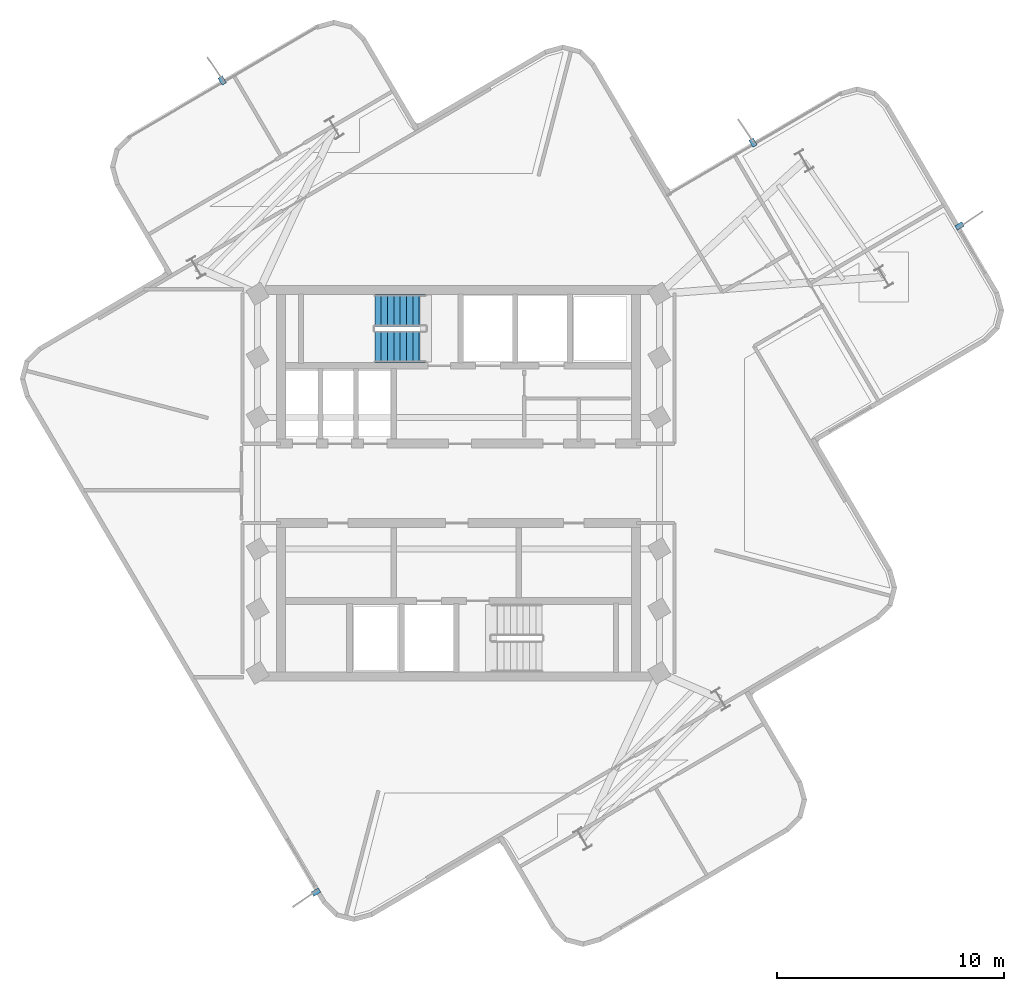
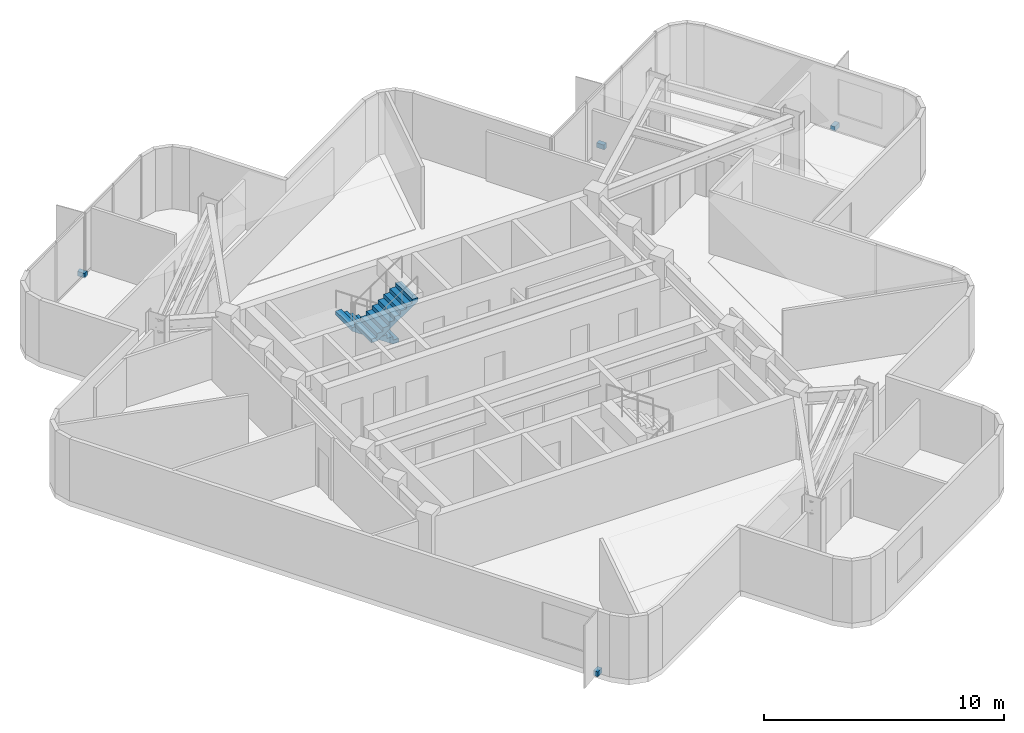
# One storey, part 6 of 8: 4 discrete accessories, 2 stair flights, 1 element without a shape of its own.
"""IFC4 building model written with IfcOpenShell, lengths in metres."""

from ifc_helpers import new_model, si_unit, direction, frame, origin, origin_2d, place, context, subcontext, project, spatial, polyline, rectangle, outline, extrude, material, type_object, element, aggregate, save


model = new_model("IFC4")

# Units and contexts
model_context = context("Model", 3, precision=1e-05, world=origin(), true_north=direction((0.0, 1.0)))
body_context = subcontext(model_context, "Body", "Model", "MODEL_VIEW")
ifc_project = project(units=[si_unit("LENGTHUNIT", "METRE"), si_unit("AREAUNIT", "SQUARE_METRE"), si_unit("VOLUMEUNIT", "CUBIC_METRE"), si_unit("PLANEANGLEUNIT", "RADIAN"), si_unit("MASSUNIT", "GRAM", prefix="KILO")], contexts=[model_context])

# Site, building, storey
site_placement = place(None, origin())
site = spatial("IfcSite", under=ifc_project, at=site_placement, CompositionType="ELEMENT")
building_placement = place(site_placement, origin())
building = spatial("IfcBuilding", under=site, at=building_placement, Name="Solmarez Civic Tower", CompositionType="ELEMENT")
storey_placement = place(building_placement, frame((0.0, 0.0, 212.0400390625)))
storey = spatial("IfcBuildingStorey", under=building, at=storey_placement, Name="L56", CompositionType="ELEMENT", Elevation=212.0400390625)

# Stair, stair flights
ifc_material_1 = material(Name="Concrete C50/60", Category="concrete")
stair_type = type_object("IfcStairType", Name="STAIR-DOGLEG-140W-18R-1900", PredefinedType="HALF_TURN_STAIR", material=ifc_material_1)
stair_placement = place(storey_placement, origin())
stair = element("IfcStair", 1, at=stair_placement, inside=storey, type_object=stair_type, Name="L56 North Core Protected Exit Stair ST-1", PredefinedType="HALF_TURN_STAIR")
stair_flight_type = type_object("IfcStairFlightType", Name="FLIGHT-DOGLEG-140W-9R-1900", PredefinedType="STRAIGHT", material=ifc_material_1)
stair_flight_1_placement = place(storey_placement, frame((-1.449951171875, 7.6201171875, 0.0), z_axis=(0.0, 0.0, 1.0), x_axis=(-1.0, 0.0, 0.0)))
stair_flight_1 = element("IfcStairFlight", 2, at=stair_flight_1_placement, type_object=stair_flight_type, Name="ST-1 flight 1", NumberOfRisers=9, NumberOfTreads=8, PredefinedType="STRAIGHT", RiserHeight=0.19, TreadLength=0.28, context=body_context, shape_type="SweptSolid", body=[
    extrude(outline(polyline([(0.0, 0.0), (0.0, 0.18994140625), (0.280029296875, 0.18994140625), (0.280029296875, 0.3798828125), (0.56005859375, 0.3798828125), (0.56005859375, 0.570068359375), (0.840087890625, 0.570068359375), (0.840087890625, 0.760009765625), (1.1201171875, 0.760009765625), (1.1201171875, 0.949951171875), (1.39990234375, 0.949951171875), (1.39990234375, 1.139892578125), (1.679931640625, 1.139892578125), (1.679931640625, 1.330078125), (1.9599609375, 1.330078125), (1.9599609375, 1.52001953125), (2.239990234375, 1.52001953125), (2.239990234375, 1.7099609375), (2.239990234375, 1.32666015625), (0.284912109375, 0.0), (0.0, 0.0)])), frame((0.0, 0.699951171875, 0.0), z_axis=(0.0, -1.0, 0.0), x_axis=(1.0, 0.0, 0.0)), (0.0, 0.0, 1.0), 1.39990234375),
])
stair_flight_2_placement = place(storey_placement, frame((-3.68994140625, 6.02001953125, 1.7099609375), z_axis=(0.0, 0.0, 1.0), x_axis=(1.0, 0.0, 0.0)))
stair_flight_2 = element("IfcStairFlight", 3, at=stair_flight_2_placement, type_object=stair_flight_type, Name="ST-1 flight 2", NumberOfRisers=9, NumberOfTreads=8, PredefinedType="STRAIGHT", RiserHeight=0.19, TreadLength=0.28, context=body_context, shape_type="SweptSolid", body=[
    extrude(outline(polyline([(0.0, 0.0), (0.0, 0.18994140625), (0.280029296875, 0.18994140625), (0.280029296875, 0.3798828125), (0.56005859375, 0.3798828125), (0.56005859375, 0.570068359375), (0.840087890625, 0.570068359375), (0.840087890625, 0.760009765625), (1.1201171875, 0.760009765625), (1.1201171875, 0.949951171875), (1.39990234375, 0.949951171875), (1.39990234375, 1.139892578125), (1.679931640625, 1.139892578125), (1.679931640625, 1.330078125), (1.9599609375, 1.330078125), (1.9599609375, 1.52001953125), (2.239990234375, 1.52001953125), (2.239990234375, 1.7099609375), (2.239990234375, 1.32666015625), (0.284912109375, 0.0), (0.0, 0.0)])), frame((0.0, 0.699951171875, 0.0), z_axis=(0.0, -1.0, 0.0), x_axis=(1.0, 0.0, 0.0)), (0.0, 0.0, 1.0), 1.39990234375),
])
aggregate(stair, [stair_flight_1, stair_flight_2])

# Discrete accessories
ifc_material_2 = material(Name="Stainless Steel Grade 1.4401", Category="steel")
discrete_accessory_type = type_object("IfcDiscreteAccessoryType", Name="BRACKET-SS-FIN", PredefinedType="BRACKET", material=ifc_material_2)
for number, where, z_axis, x_axis, name in (
    (4, (-6.277099609375, -18.014892578125, -0.06005859375), (0.0, 0.0, 1.0), (-0.862508936292, -0.506041831093, 0.0), "L56 Stainless Fin Support Bracket FIN-L56-01"),
    (5, (-10.4140625, 17.75, -0.06005859375), (0.0, 0.0, 1.0), (-0.506084029911, 0.862484176475, 0.0), "L56 Stainless Fin Support Bracket FIN-L56-02"),
    (6, (12.97900390625, 15.012939453125, -0.06005859375), (0.0, 0.0, 1.0), (-0.50591923643, 0.862580851985, 0.0), "L56 Stainless Fin Support Bracket FIN-L56-03"),
    (7, (22.0791015625, 11.3369140625, -0.06005859375), (0.0, 0.0, 1.0), (0.862556511529, 0.505960734068, 0.0), "L56 Stainless Fin Support Bracket FIN-L56-04"),
):
    element("IfcDiscreteAccessory", number, at=place(storey_placement, frame(where, z_axis=z_axis, x_axis=x_axis)), inside=storey, type_object=discrete_accessory_type, Name=name, PredefinedType="BRACKET", context=body_context, shape_type="SweptSolid", body=[
        extrude(rectangle(XDim=0.360107421875, YDim=0.219970703125, at=origin_2d()), origin(), (0.0, 0.0, 1.0), 0.239990234375),
    ])

save(model, "model.ifc")
